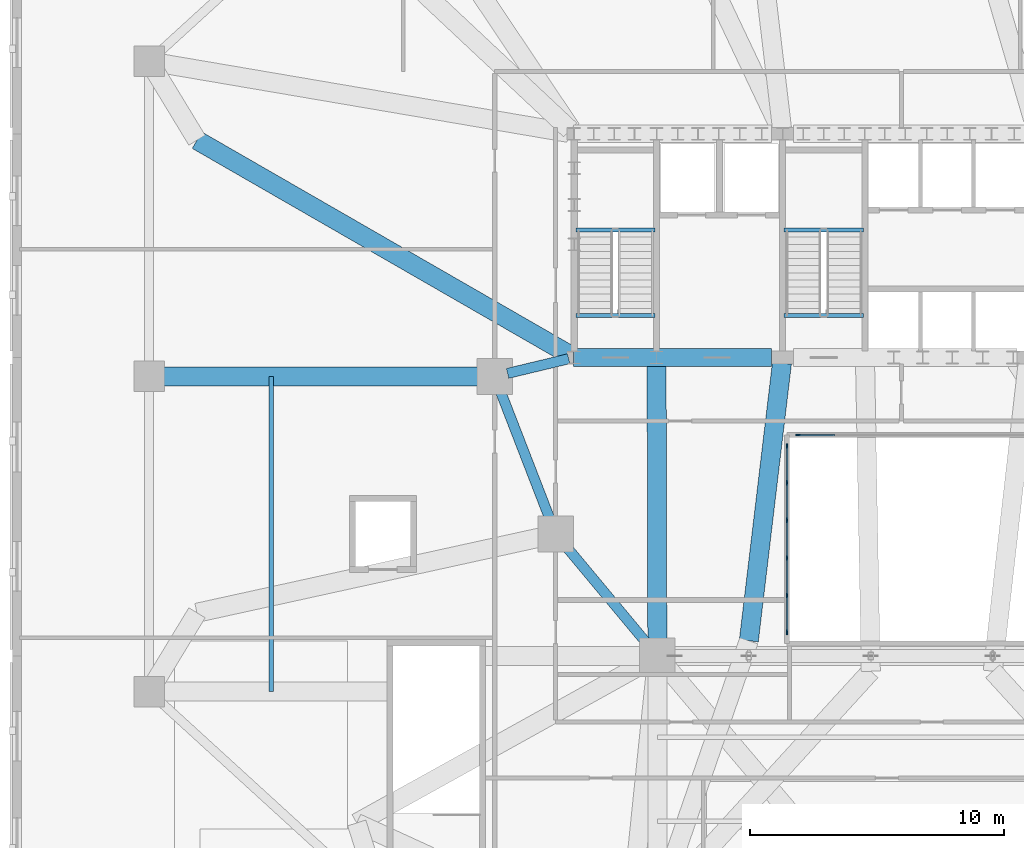
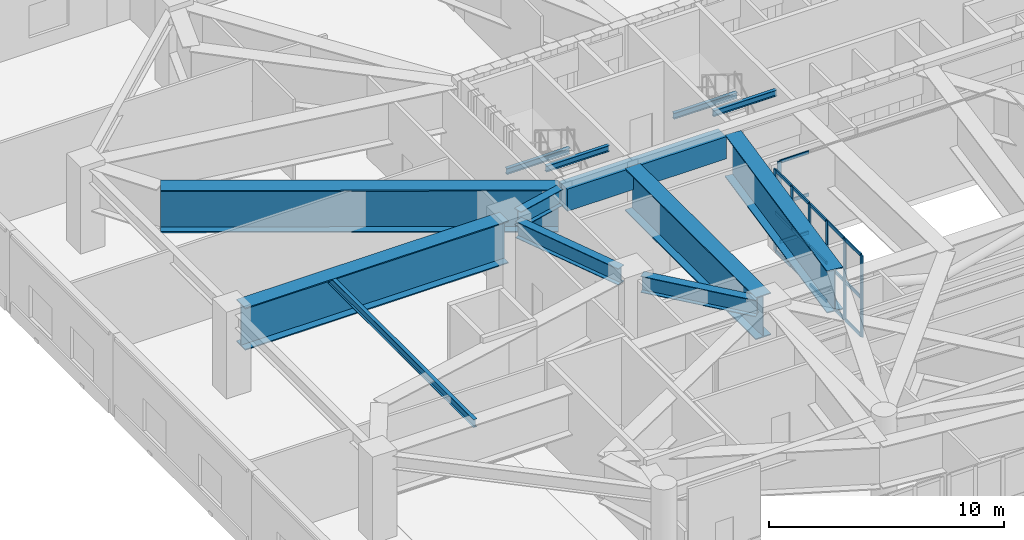
# One storey, part 5 of 26: 25 members, 13 beams, 2 elements without a shape of their own.
"""IFC4 building model written with IfcOpenShell, lengths in metres."""

from ifc_helpers import new_model, si_unit, direction, frame, origin, origin_2d, place, context, subcontext, project, spatial, rectangle, i_section, extrude, material, material_profile, profile_set, type_object, element, aggregate, save


model = new_model("IFC4")

# Units and contexts
model_context = context("Model", 3, precision=1e-05, world=origin(), true_north=direction((0.0, 1.0)))
body_context = subcontext(model_context, "Body", "Model", "MODEL_VIEW")
ifc_project = project(units=[si_unit("LENGTHUNIT", "METRE"), si_unit("AREAUNIT", "SQUARE_METRE"), si_unit("VOLUMEUNIT", "CUBIC_METRE"), si_unit("PLANEANGLEUNIT", "RADIAN"), si_unit("MASSUNIT", "GRAM", prefix="KILO")], contexts=[model_context])

# Site, building, storey
site_placement = place(None, origin())
site = spatial("IfcSite", under=ifc_project, at=site_placement, CompositionType="ELEMENT")
building_placement = place(site_placement, origin())
building = spatial("IfcBuilding", under=site, at=building_placement, Name="Haldorwick Loom Tower", CompositionType="ELEMENT")
storey_placement = place(building_placement, frame((0.0, 0.0, 19.5)))
storey = spatial("IfcBuildingStorey", under=building, at=storey_placement, Name="L04", CompositionType="ELEMENT", Elevation=19.5)

# Curtain wall, member
ifc_material_1 = material(Name="Thermally Broken Anodized Aluminium Curtain Wall Framing", Category="aluminium")
curtain_wall_type = type_object("IfcCurtainWallType", Name="ARC-CW-03", PredefinedType="NOTDEFINED", material=ifc_material_1)
curtain_wall_1_placement = place(storey_placement, origin())
curtain_wall_1 = element("IfcCurtainWall", 1, at=curtain_wall_1_placement, inside=storey, type_object=curtain_wall_type, Name="L04 Atrium Glazed Screen N", PredefinedType="NOTDEFINED")
ifc_material_profile_1 = material_profile(ifc_material_1, rectangle(XDim=0.06591796875, YDim=0.18505859375, at=origin_2d()), Name="ALU_MUL_66X185", Category="aluminium")
ifc_profile_set_1 = profile_set([ifc_material_profile_1], Name="Thermally Broken Anodized Aluminium Curtain Wall Framing")
member_type_1 = type_object("IfcMemberType", Name="ARC-CWM-03", PredefinedType="MULLION", material=ifc_profile_set_1)
member_1_placement = place(storey_placement, frame((30.73291015625, 23.699951171875, 0.0), z_axis=(0.0, 0.0, 1.0), x_axis=(0.0, 1.0, 0.0)))
member_1 = element("IfcMember", 2, at=member_1_placement, type_object=member_type_1, Name="CW-03 mullion 1", PredefinedType="MULLION", context=body_context, shape_type="SweptSolid", body=[
    extrude(rectangle(XDim=0.06591796875, YDim=0.18505859375, at=origin_2d()), origin(), (0.0, 0.0, 1.0), 4.219970703125),
])

# Curtain wall, members
curtain_wall_2_placement = place(storey_placement, origin())
curtain_wall_2 = element("IfcCurtainWall", 3, at=curtain_wall_2_placement, inside=storey, type_object=curtain_wall_type, Name="L04 Atrium Glazed Screen W", PredefinedType="NOTDEFINED")
member_2_placement = place(storey_placement, frame((30.300048828125, 15.93310546875, 0.0), z_axis=(0.0, 0.0, 1.0), x_axis=(-1.0, 0.0, 0.0)))
member_2 = element("IfcMember", 4, at=member_2_placement, type_object=member_type_1, Name="CW-03 mullion 1", PredefinedType="MULLION", context=body_context, shape_type="SweptSolid", body=[
    extrude(rectangle(XDim=0.06591796875, YDim=0.18505859375, at=origin_2d()), origin(), (0.0, 0.0, 1.0), 4.219970703125),
])
member_3_placement = place(storey_placement, frame((30.300048828125, 17.3798828125, 0.0), z_axis=(0.0, 0.0, 1.0), x_axis=(-1.0, 0.0, 0.0)))
member_3 = element("IfcMember", 5, at=member_3_placement, type_object=member_type_1, Name="CW-03 mullion 2", PredefinedType="MULLION", context=body_context, shape_type="SweptSolid", body=[
    extrude(rectangle(XDim=0.06591796875, YDim=0.18505859375, at=origin_2d()), origin(), (0.0, 0.0, 1.0), 4.219970703125),
])
member_4_placement = place(storey_placement, frame((30.300048828125, 18.860107421875, 0.0), z_axis=(0.0, 0.0, 1.0), x_axis=(-1.0, 0.0, 0.0)))
member_4 = element("IfcMember", 6, at=member_4_placement, type_object=member_type_1, Name="CW-03 mullion 3", PredefinedType="MULLION", context=body_context, shape_type="SweptSolid", body=[
    extrude(rectangle(XDim=0.06591796875, YDim=0.18505859375, at=origin_2d()), origin(), (0.0, 0.0, 1.0), 4.219970703125),
])
member_5_placement = place(storey_placement, frame((30.300048828125, 20.340087890625, 0.0), z_axis=(0.0, 0.0, 1.0), x_axis=(-1.0, 0.0, 0.0)))
member_5 = element("IfcMember", 7, at=member_5_placement, type_object=member_type_1, Name="CW-03 mullion 4", PredefinedType="MULLION", context=body_context, shape_type="SweptSolid", body=[
    extrude(rectangle(XDim=0.06591796875, YDim=0.18505859375, at=origin_2d()), origin(), (0.0, 0.0, 1.0), 4.219970703125),
])
member_6_placement = place(storey_placement, frame((30.300048828125, 21.820068359375, 0.0), z_axis=(0.0, 0.0, 1.0), x_axis=(-1.0, 0.0, 0.0)))
member_6 = element("IfcMember", 8, at=member_6_placement, type_object=member_type_1, Name="CW-03 mullion 5", PredefinedType="MULLION", context=body_context, shape_type="SweptSolid", body=[
    extrude(rectangle(XDim=0.06591796875, YDim=0.18505859375, at=origin_2d()), origin(), (0.0, 0.0, 1.0), 4.219970703125),
])
member_7_placement = place(storey_placement, frame((30.300048828125, 23.26708984375, 0.0), z_axis=(0.0, 0.0, 1.0), x_axis=(-1.0, 0.0, 0.0)))
member_7 = element("IfcMember", 9, at=member_7_placement, type_object=member_type_1, Name="CW-03 mullion 6", PredefinedType="MULLION", context=body_context, shape_type="SweptSolid", body=[
    extrude(rectangle(XDim=0.06591796875, YDim=0.18505859375, at=origin_2d()), origin(), (0.0, 0.0, 1.0), 4.219970703125),
])

# Member
ifc_material_profile_2 = material_profile(ifc_material_1, rectangle(XDim=0.06591796875, YDim=0.1650390625, at=origin_2d()), Name="ALU_TRN_66X165", Category="aluminium")
ifc_profile_set_2 = profile_set([ifc_material_profile_2], Name="Thermally Broken Anodized Aluminium Curtain Wall Framing")
member_type_2 = type_object("IfcMemberType", Name="ARC-CWT-03", PredefinedType="USERDEFINED", material=ifc_profile_set_2)
member_8_placement = place(storey_placement, frame((30.76611328125, 23.699951171875, 0.032958984375), z_axis=(1.0, 0.0, 0.0), x_axis=(0.0, 1.0, 0.0)))
member_8 = element("IfcMember", 10, at=member_8_placement, type_object=member_type_2, Name="CW-03 transom 1.1", ObjectType="TRANSOM", PredefinedType="USERDEFINED", context=body_context, shape_type="SweptSolid", body=[
    extrude(rectangle(XDim=0.06591796875, YDim=0.1650390625, at=origin_2d()), origin(), (0.0, 0.0, 1.0), 1.415283203125),
])

member_9_placement = place(storey_placement, frame((30.76611328125, 23.699951171875, 2.0), z_axis=(1.0, 0.0, 0.0), x_axis=(0.0, 1.0, 0.0)))
member_9 = element("IfcMember", 11, at=member_9_placement, type_object=member_type_2, Name="CW-03 transom 1.2", ObjectType="TRANSOM", PredefinedType="USERDEFINED", context=body_context, shape_type="SweptSolid", body=[
    extrude(rectangle(XDim=0.06591796875, YDim=0.1650390625, at=origin_2d()), origin(), (0.0, 0.0, 1.0), 1.415283203125),
])

member_10_placement = place(storey_placement, frame((30.76611328125, 23.699951171875, 4.18701171875), z_axis=(1.0, 0.0, 0.0), x_axis=(0.0, 1.0, 0.0)))
member_10 = element("IfcMember", 12, at=member_10_placement, type_object=member_type_2, Name="CW-03 transom 1.3", ObjectType="TRANSOM", PredefinedType="USERDEFINED", context=body_context, shape_type="SweptSolid", body=[
    extrude(rectangle(XDim=0.06591796875, YDim=0.1650390625, at=origin_2d()), origin(), (0.0, 0.0, 1.0), 1.415283203125),
])

aggregate(curtain_wall_1, [member_1, member_8, member_9, member_10])

member_11_placement = place(storey_placement, frame((30.300048828125, 15.966064453125, 0.032958984375), z_axis=(0.0, 1.0, 0.0), x_axis=(-1.0, 0.0, 0.0)))
member_11 = element("IfcMember", 13, at=member_11_placement, type_object=member_type_2, Name="CW-03 transom 1.1", ObjectType="TRANSOM", PredefinedType="USERDEFINED", context=body_context, shape_type="SweptSolid", body=[
    extrude(rectangle(XDim=0.06591796875, YDim=0.1650390625, at=origin_2d()), origin(), (0.0, 0.0, 1.0), 1.380859375),
])

member_12_placement = place(storey_placement, frame((30.300048828125, 15.966064453125, 2.0), z_axis=(0.0, 1.0, 0.0), x_axis=(-1.0, 0.0, 0.0)))
member_12 = element("IfcMember", 14, at=member_12_placement, type_object=member_type_2, Name="CW-03 transom 1.2", ObjectType="TRANSOM", PredefinedType="USERDEFINED", context=body_context, shape_type="SweptSolid", body=[
    extrude(rectangle(XDim=0.06591796875, YDim=0.1650390625, at=origin_2d()), origin(), (0.0, 0.0, 1.0), 1.380859375),
])

member_13_placement = place(storey_placement, frame((30.300048828125, 15.966064453125, 4.18701171875), z_axis=(0.0, 1.0, 0.0), x_axis=(-1.0, 0.0, 0.0)))
member_13 = element("IfcMember", 15, at=member_13_placement, type_object=member_type_2, Name="CW-03 transom 1.3", ObjectType="TRANSOM", PredefinedType="USERDEFINED", context=body_context, shape_type="SweptSolid", body=[
    extrude(rectangle(XDim=0.06591796875, YDim=0.1650390625, at=origin_2d()), origin(), (0.0, 0.0, 1.0), 1.380859375),
])

member_14_placement = place(storey_placement, frame((30.300048828125, 17.4130859375, 0.032958984375), z_axis=(0.0, 1.0, 0.0), x_axis=(-1.0, 0.0, 0.0)))
member_14 = element("IfcMember", 16, at=member_14_placement, type_object=member_type_2, Name="CW-03 transom 2.1", ObjectType="TRANSOM", PredefinedType="USERDEFINED", context=body_context, shape_type="SweptSolid", body=[
    extrude(rectangle(XDim=0.06591796875, YDim=0.1650390625, at=origin_2d()), origin(), (0.0, 0.0, 1.0), 1.413818359375),
])

member_15_placement = place(storey_placement, frame((30.300048828125, 17.4130859375, 2.0), z_axis=(0.0, 1.0, 0.0), x_axis=(-1.0, 0.0, 0.0)))
member_15 = element("IfcMember", 17, at=member_15_placement, type_object=member_type_2, Name="CW-03 transom 2.2", ObjectType="TRANSOM", PredefinedType="USERDEFINED", context=body_context, shape_type="SweptSolid", body=[
    extrude(rectangle(XDim=0.06591796875, YDim=0.1650390625, at=origin_2d()), origin(), (0.0, 0.0, 1.0), 1.413818359375),
])

member_16_placement = place(storey_placement, frame((30.300048828125, 17.4130859375, 4.18701171875), z_axis=(0.0, 1.0, 0.0), x_axis=(-1.0, 0.0, 0.0)))
member_16 = element("IfcMember", 18, at=member_16_placement, type_object=member_type_2, Name="CW-03 transom 2.3", ObjectType="TRANSOM", PredefinedType="USERDEFINED", context=body_context, shape_type="SweptSolid", body=[
    extrude(rectangle(XDim=0.06591796875, YDim=0.1650390625, at=origin_2d()), origin(), (0.0, 0.0, 1.0), 1.413818359375),
])

member_17_placement = place(storey_placement, frame((30.300048828125, 18.89306640625, 0.032958984375), z_axis=(0.0, 1.0, 0.0), x_axis=(-1.0, 0.0, 0.0)))
member_17 = element("IfcMember", 19, at=member_17_placement, type_object=member_type_2, Name="CW-03 transom 3.1", ObjectType="TRANSOM", PredefinedType="USERDEFINED", context=body_context, shape_type="SweptSolid", body=[
    extrude(rectangle(XDim=0.06591796875, YDim=0.1650390625, at=origin_2d()), origin(), (0.0, 0.0, 1.0), 1.413818359375),
])

member_18_placement = place(storey_placement, frame((30.300048828125, 18.89306640625, 2.0), z_axis=(0.0, 1.0, 0.0), x_axis=(-1.0, 0.0, 0.0)))
member_18 = element("IfcMember", 20, at=member_18_placement, type_object=member_type_2, Name="CW-03 transom 3.2", ObjectType="TRANSOM", PredefinedType="USERDEFINED", context=body_context, shape_type="SweptSolid", body=[
    extrude(rectangle(XDim=0.06591796875, YDim=0.1650390625, at=origin_2d()), origin(), (0.0, 0.0, 1.0), 1.413818359375),
])

member_19_placement = place(storey_placement, frame((30.300048828125, 18.89306640625, 4.18701171875), z_axis=(0.0, 1.0, 0.0), x_axis=(-1.0, 0.0, 0.0)))
member_19 = element("IfcMember", 21, at=member_19_placement, type_object=member_type_2, Name="CW-03 transom 3.3", ObjectType="TRANSOM", PredefinedType="USERDEFINED", context=body_context, shape_type="SweptSolid", body=[
    extrude(rectangle(XDim=0.06591796875, YDim=0.1650390625, at=origin_2d()), origin(), (0.0, 0.0, 1.0), 1.413818359375),
])

member_20_placement = place(storey_placement, frame((30.300048828125, 20.373046875, 0.032958984375), z_axis=(0.0, 1.0, 0.0), x_axis=(-1.0, 0.0, 0.0)))
member_20 = element("IfcMember", 22, at=member_20_placement, type_object=member_type_2, Name="CW-03 transom 4.1", ObjectType="TRANSOM", PredefinedType="USERDEFINED", context=body_context, shape_type="SweptSolid", body=[
    extrude(rectangle(XDim=0.06591796875, YDim=0.1650390625, at=origin_2d()), origin(), (0.0, 0.0, 1.0), 1.4140625),
])

member_21_placement = place(storey_placement, frame((30.300048828125, 20.373046875, 2.0), z_axis=(0.0, 1.0, 0.0), x_axis=(-1.0, 0.0, 0.0)))
member_21 = element("IfcMember", 23, at=member_21_placement, type_object=member_type_2, Name="CW-03 transom 4.2", ObjectType="TRANSOM", PredefinedType="USERDEFINED", context=body_context, shape_type="SweptSolid", body=[
    extrude(rectangle(XDim=0.06591796875, YDim=0.1650390625, at=origin_2d()), origin(), (0.0, 0.0, 1.0), 1.4140625),
])

member_22_placement = place(storey_placement, frame((30.300048828125, 20.373046875, 4.18701171875), z_axis=(0.0, 1.0, 0.0), x_axis=(-1.0, 0.0, 0.0)))
member_22 = element("IfcMember", 24, at=member_22_placement, type_object=member_type_2, Name="CW-03 transom 4.3", ObjectType="TRANSOM", PredefinedType="USERDEFINED", context=body_context, shape_type="SweptSolid", body=[
    extrude(rectangle(XDim=0.06591796875, YDim=0.1650390625, at=origin_2d()), origin(), (0.0, 0.0, 1.0), 1.4140625),
])

member_23_placement = place(storey_placement, frame((30.300048828125, 21.85302734375, 0.032958984375), z_axis=(0.0, 1.0, 0.0), x_axis=(-1.0, 0.0, 0.0)))
member_23 = element("IfcMember", 25, at=member_23_placement, type_object=member_type_2, Name="CW-03 transom 5.1", ObjectType="TRANSOM", PredefinedType="USERDEFINED", context=body_context, shape_type="SweptSolid", body=[
    extrude(rectangle(XDim=0.06591796875, YDim=0.1650390625, at=origin_2d()), origin(), (0.0, 0.0, 1.0), 1.380859375),
])

member_24_placement = place(storey_placement, frame((30.300048828125, 21.85302734375, 2.0), z_axis=(0.0, 1.0, 0.0), x_axis=(-1.0, 0.0, 0.0)))
member_24 = element("IfcMember", 26, at=member_24_placement, type_object=member_type_2, Name="CW-03 transom 5.2", ObjectType="TRANSOM", PredefinedType="USERDEFINED", context=body_context, shape_type="SweptSolid", body=[
    extrude(rectangle(XDim=0.06591796875, YDim=0.1650390625, at=origin_2d()), origin(), (0.0, 0.0, 1.0), 1.380859375),
])

member_25_placement = place(storey_placement, frame((30.300048828125, 21.85302734375, 4.18701171875), z_axis=(0.0, 1.0, 0.0), x_axis=(-1.0, 0.0, 0.0)))
member_25 = element("IfcMember", 27, at=member_25_placement, type_object=member_type_2, Name="CW-03 transom 5.3", ObjectType="TRANSOM", PredefinedType="USERDEFINED", context=body_context, shape_type="SweptSolid", body=[
    extrude(rectangle(XDim=0.06591796875, YDim=0.1650390625, at=origin_2d()), origin(), (0.0, 0.0, 1.0), 1.380859375),
])

aggregate(curtain_wall_2, [member_2, member_3, member_4, member_5, member_6, member_7, member_11, member_12, member_13, member_14, member_15, member_16, member_17, member_18, member_19, member_20, member_21, member_22, member_23, member_24, member_25])

# Beams
ifc_material_2 = material(Name="Concrete C60 (60 MPa)", Category="concrete")
ifc_material_profile_3 = material_profile(ifc_material_2, rectangle(XDim=0.699951171875, YDim=1.14990234375, at=origin_2d()), Name="RC700X1150", Category="concrete")
ifc_profile_set_3 = profile_set([ifc_material_profile_3], Name="Concrete C60 (60 MPa)")
beam_type_1 = type_object("IfcBeamType", Name="STR-BM-CB1150", PredefinedType="LINTEL", material=ifc_profile_set_3)
beam_1_placement = place(storey_placement, frame((21.89990234375, 26.75, 3.64501953125), z_axis=(1.0, 0.0, 0.0), x_axis=(0.0, 1.0, 0.0)))
element("IfcBeam", 28, at=beam_1_placement, inside=storey, type_object=beam_type_1, Name="L04 Core Coupling Beam CB-S1", PredefinedType="LINTEL", context=body_context, shape_type="SweptSolid", body=[
    extrude(rectangle(XDim=0.699951171875, YDim=1.14990234375, at=origin_2d()), origin(), (0.0, 0.0, 1.0), 7.800048828125),
])
ifc_material_3 = material(Name="Steel CSA G40.21 350W", Category="steel")
ifc_material_profile_4 = material_profile(ifc_material_3, i_section(OverallWidth=0.179931640625, OverallDepth=0.4130859375, WebThickness=0.009765625, FlangeThickness=0.01611328125, at=origin_2d()), Name="W410X74", Category="steel")
ifc_profile_set_4 = profile_set([ifc_material_profile_4], Name="Steel CSA G40.21 350W")
beam_type_2 = type_object("IfcBeamType", Name="STR-BM-J410", PredefinedType="JOIST", material=ifc_profile_set_4)
beam_2_placement = place(storey_placement, frame((10.0, 13.60009765625, 4.013427734375), z_axis=(0.0, 1.0, 0.0), x_axis=(-1.0, 0.0, 0.0)))
element("IfcBeam", 29, at=beam_2_placement, inside=storey, type_object=beam_type_2, Name="L04 Podium Secondary Joist PJ-W1", PredefinedType="JOIST", context=body_context, shape_type="SweptSolid", body=[
    extrude(i_section(OverallWidth=0.179931640625, OverallDepth=0.4130859375, WebThickness=0.009765625, FlangeThickness=0.01611328125, at=origin_2d()), origin(), (0.0, 0.0, 1.0), 12.39990234375),
])
ifc_material_profile_5 = material_profile(ifc_material_3, i_section(OverallWidth=0.166015625, OverallDepth=0.31298828125, WebThickness=0.006591796875, FlangeThickness=0.01123046875, at=origin_2d()), Name="W310X45", Category="steel")
ifc_profile_set_5 = profile_set([ifc_material_profile_5], Name="Steel CSA G40.21 350W")
beam_type_3 = type_object("IfcBeamType", Name="STR-BM-STRM", PredefinedType="BEAM", material=ifc_profile_set_5)
for number, where, z_axis, x_axis, name in (
    (30, (21.989990234375, 28.39990234375, 4.0634765625), (1.0, 0.0, 0.0), (0.0, 1.0, 0.0), "L04 Stair ST-01 Landing Edge Trimmer"),
    (31, (21.989990234375, 31.760009765625, 1.8935546875), (1.0, 0.0, 0.0), (0.0, 1.0, 0.0), "L04 Stair ST-01 Half-Landing Trimmer 1"),
    (32, (30.18994140625, 28.39990234375, 4.0634765625), (1.0, 0.0, 0.0), (0.0, 1.0, 0.0), "L04 Stair ST-03 Landing Edge Trimmer"),
    (33, (30.18994140625, 31.760009765625, 1.8935546875), (1.0, 0.0, 0.0), (0.0, 1.0, 0.0), "L04 Stair ST-03 Half-Landing Trimmer 1"),
):
    element("IfcBeam", number, at=place(storey_placement, frame(where, z_axis=z_axis, x_axis=x_axis)), inside=storey, type_object=beam_type_3, Name=name, PredefinedType="BEAM", context=body_context, shape_type="SweptSolid", body=[
        extrude(i_section(OverallWidth=0.166015625, OverallDepth=0.31298828125, WebThickness=0.006591796875, FlangeThickness=0.01123046875, at=origin_2d()), origin(), (0.0, 0.0, 1.0), 3.1201171875),
    ])
ifc_material_4 = material(Name="Steel CSA G40.21 350WT", Category="steel")
ifc_material_profile_6 = material_profile(ifc_material_4, i_section(OverallWidth=0.75, OverallDepth=2.199951171875, WebThickness=0.030029296875, FlangeThickness=0.054931640625, at=origin_2d()), Name="WWF2200X750", Category="steel")
ifc_profile_set_6 = profile_set([ifc_material_profile_6], Name="Steel CSA G40.21 350WT")
beam_type_4 = type_object("IfcBeamType", Name="STR-BM-TG2200", PredefinedType="BEAM", material=ifc_profile_set_6)
beam_3_placement = place(storey_placement, frame((25.198974609375, 15.449951171875, 3.1201171875), z_axis=(-0.00255714174, 0.999996730508, 0.0), x_axis=(-0.999996730508, -0.00255714174, 0.0)))
element("IfcBeam", 34, at=beam_3_placement, inside=storey, type_object=beam_type_4, Name="L04 Podium Primary Girder PG-04", PredefinedType="BEAM", context=body_context, shape_type="SweptSolid", body=[
    extrude(i_section(OverallWidth=0.75, OverallDepth=2.199951171875, WebThickness=0.030029296875, FlangeThickness=0.054931640625, at=origin_2d()), origin(), (0.0, 0.0, 1.0), 11.074951171875),
])
beam_4_placement = place(storey_placement, frame((21.735107421875, 26.8623046875, 3.1201171875), z_axis=(-0.866605238703, 0.498994348919, 0.0), x_axis=(-0.498994348919, -0.866605238703, 0.0)))
element("IfcBeam", 35, at=beam_4_placement, inside=storey, type_object=beam_type_4, Name="L04 Radial Transfer Girder 8 Inner", PredefinedType="BEAM", context=body_context, shape_type="SweptSolid", body=[
    extrude(i_section(OverallWidth=0.75, OverallDepth=2.199951171875, WebThickness=0.030029296875, FlangeThickness=0.054931640625, at=origin_2d()), origin(), (0.0, 0.0, 1.0), 16.907958984375),
])
beam_5_placement = place(storey_placement, frame((18.574951171875, 26.0, 3.1201171875), z_axis=(-1.0, 0.0, 0.0), x_axis=(0.0, -1.0, 0.0)))
element("IfcBeam", 36, at=beam_5_placement, inside=storey, type_object=beam_type_4, Name="L04 Radial Transfer Girder 9", PredefinedType="BEAM", context=body_context, shape_type="SweptSolid", body=[
    extrude(i_section(OverallWidth=0.75, OverallDepth=2.199951171875, WebThickness=0.030029296875, FlangeThickness=0.054931640625, at=origin_2d()), origin(), (0.0, 0.0, 1.0), 12.925048828125),
])
beam_6_placement = place(storey_placement, frame((30.103515625, 26.526611328125, 3.1201171875), z_axis=(-0.118454048884, -0.992959535078, 0.0), x_axis=(0.992959535078, -0.118454048884, 0.0)))
element("IfcBeam", 37, at=beam_6_placement, inside=storey, type_object=beam_type_4, Name="L04 Concourse Transfer Cross Girder 1A", PredefinedType="BEAM", context=body_context, shape_type="SweptSolid", body=[
    extrude(i_section(OverallWidth=0.75, OverallDepth=2.199951171875, WebThickness=0.030029296875, FlangeThickness=0.054931640625, at=origin_2d()), origin(), (0.0, 0.0, 1.0), 11.00390625),
])
ifc_material_profile_7 = material_profile(ifc_material_3, i_section(OverallWidth=0.39990234375, OverallDepth=0.85498046875, WebThickness=0.018310546875, FlangeThickness=0.029296875, at=origin_2d()), Name="W840X299", Category="steel")
ifc_profile_set_7 = profile_set([ifc_material_profile_7], Name="Steel CSA G40.21 350W")
beam_type_5 = type_object("IfcBeamType", Name="STR-BM-W840", PredefinedType="BEAM", material=ifc_profile_set_7)
beam_7_placement = place(storey_placement, frame((21.711181640625, 26.697509765625, 3.79248046875), z_axis=(-0.97247055837, -0.233025777764, 0.0), x_axis=(0.233025777764, -0.97247055837, 0.0)))
element("IfcBeam", 38, at=beam_7_placement, inside=storey, type_object=beam_type_5, Name="L04 Podium Inner Girder INW-1", PredefinedType="BEAM", context=body_context, shape_type="SweptSolid", body=[
    extrude(i_section(OverallWidth=0.39990234375, OverallDepth=0.85498046875, WebThickness=0.018310546875, FlangeThickness=0.029296875, at=origin_2d()), origin(), (0.0, 0.0, 1.0), 2.4736328125),
])
beam_8_placement = place(storey_placement, frame((18.98779296875, 25.51513671875, 3.79248046875), z_axis=(0.360964792353, -0.93257944363, 0.0), x_axis=(0.93257944363, 0.360964792353, 0.0)))
element("IfcBeam", 39, at=beam_8_placement, inside=storey, type_object=beam_type_5, Name="L04 Podium Inner Girder INW-2", PredefinedType="BEAM", context=body_context, shape_type="SweptSolid", body=[
    extrude(i_section(OverallWidth=0.39990234375, OverallDepth=0.85498046875, WebThickness=0.018310546875, FlangeThickness=0.029296875, at=origin_2d()), origin(), (0.0, 0.0, 1.0), 5.6083984375),
])
beam_9_placement = place(storey_placement, frame((21.532958984375, 19.400390625, 3.79248046875), z_axis=(0.640193621243, -0.768213594855, 0.0), x_axis=(0.768213594855, 0.640193621243, 0.0)))
element("IfcBeam", 40, at=beam_9_placement, inside=storey, type_object=beam_type_5, Name="L04 Podium Inner Girder INW-3", PredefinedType="BEAM", context=body_context, shape_type="SweptSolid", body=[
    extrude(i_section(OverallWidth=0.39990234375, OverallDepth=0.85498046875, WebThickness=0.018310546875, FlangeThickness=0.029296875, at=origin_2d()), origin(), (0.0, 0.0, 1.0), 5.208251953125),
])

save(model, "model.ifc")
